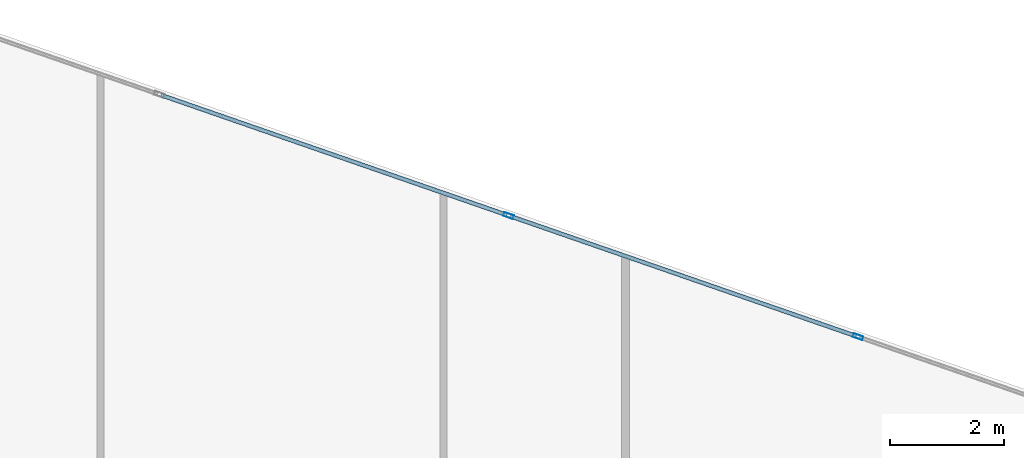
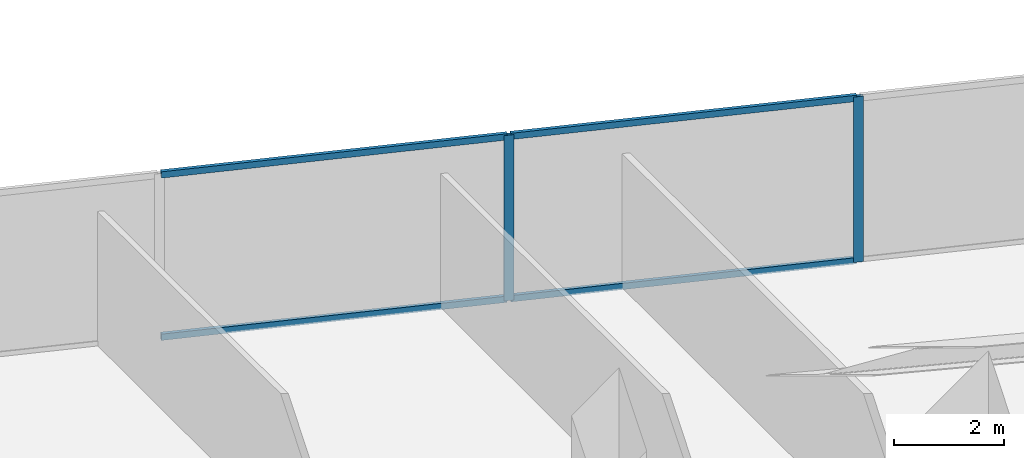
# One storey, part 21 of 27: 6 members, 1 element without a shape of its own.
"""IFC4 building model written with IfcOpenShell, lengths in metres."""

from ifc_helpers import new_model, si_unit, direction, frame, origin, origin_2d, place, context, subcontext, project, spatial, hollow_rectangle, extrude, source, transform, mapped, material, material_profile, profile_set, type_object, type_shapes, element, aggregate, save


model = new_model("IFC4")

# Units and contexts
model_context = context("Model", 3, precision=1e-05, world=origin(), true_north=direction((0.0, 1.0)))
body_context = subcontext(model_context, "Body", "Model", "MODEL_VIEW")
ifc_project = project(units=[si_unit("LENGTHUNIT", "METRE"), si_unit("AREAUNIT", "SQUARE_METRE"), si_unit("VOLUMEUNIT", "CUBIC_METRE"), si_unit("PLANEANGLEUNIT", "RADIAN"), si_unit("MASSUNIT", "GRAM", prefix="KILO")], contexts=[model_context])

# Site, building, storey
site_placement = place(None, origin())
site = spatial("IfcSite", under=ifc_project, at=site_placement, CompositionType="ELEMENT")
building_placement = place(site_placement, origin())
building = spatial("IfcBuilding", under=site, at=building_placement, Name="Krantzveldt Concourse Tower", CompositionType="ELEMENT")
storey_placement = place(building_placement, frame((0.0, 0.0, 125.60009765625)))
storey = spatial("IfcBuildingStorey", under=building, at=storey_placement, Name="L30", CompositionType="ELEMENT", Elevation=125.60009765625)

# Curtain wall, members
ifc_material = material(Name="Anodised aluminium 6063-T6", Category="aluminium")
curtain_wall_type = type_object("IfcCurtainWallType", Name="CW2", PredefinedType="USERDEFINED", material=ifc_material)
curtain_wall_placement = place(storey_placement, origin())
curtain_wall = element("IfcCurtainWall", 1, at=curtain_wall_placement, inside=storey, type_object=curtain_wall_type, Name="CW-L30-F10", ObjectType="UNITISED CURTAIN WALL", PredefinedType="USERDEFINED")
ifc_material_profile_1 = material_profile(ifc_material, hollow_rectangle(XDim=0.070068359375, YDim=0.179931640625, WallThickness=0.0048828125, at=origin_2d()), Name="Anodised aluminium 6063-T6", Category="aluminium")
ifc_profile_set_1 = profile_set([ifc_material_profile_1], Name="Anodised aluminium 6063-T6 - ALU-MULL 180x70x5")
member_type_1 = type_object("IfcMemberType", Name="CW-MUL-180", PredefinedType="MULLION", material=ifc_profile_set_1)
shared_shape_1 = source(origin(), body_context, "Body", "SweptSolid", [
    extrude(hollow_rectangle(XDim=0.070068359375, YDim=0.179931640625, WallThickness=0.0048828125, at=origin_2d()), origin(), (0.0, 0.0, 1.0), 3.669921875),
])
type_shapes(member_type_1, [shared_shape_1])
member_1_placement = place(storey_placement, frame((49.746826171875, 46.604736328125, 0.0), z_axis=(0.0, 0.0, 1.0), x_axis=(-0.32763019404, -0.944806041446, 0.0)))
member_1 = element("IfcMember", 2, at=member_1_placement, type_object=member_type_1, Name="CW-Z12 mullion 3", PredefinedType="MULLION", context=body_context, shape_type="MappedRepresentation", body=[
    mapped(shared_shape_1, transform((0.0, 0.0, 0.0), x_axis=(1.0, 0.0, 0.0), y_axis=(0.0, 1.0, 0.0), z_axis=(0.0, 0.0, 1.0), scale=1.0)),
])
member_2_placement = place(storey_placement, frame((43.636962890625, 48.723388671875, 0.0), z_axis=(0.0, 0.0, 1.0), x_axis=(-0.32763019404, -0.944806041446, 0.0)))
member_2 = element("IfcMember", 3, at=member_2_placement, type_object=member_type_1, Name="CW-Z12 mullion 4", PredefinedType="MULLION", context=body_context, shape_type="MappedRepresentation", body=[
    mapped(shared_shape_1, transform((0.0, 0.0, 0.0), x_axis=(1.0, 0.0, 0.0), y_axis=(0.0, 1.0, 0.0), z_axis=(0.0, 0.0, 1.0), scale=1.0)),
])
ifc_material_profile_2 = material_profile(ifc_material, hollow_rectangle(XDim=0.070068359375, YDim=0.139892578125, WallThickness=0.0048828125, at=origin_2d()), Name="Anodised aluminium 6063-T6", Category="aluminium")
ifc_profile_set_2 = profile_set([ifc_material_profile_2], Name="Anodised aluminium 6063-T6 - ALU-TRAN 140x70x5")
member_type_2 = type_object("IfcMemberType", Name="CW-TRN-150", PredefinedType="USERDEFINED", material=ifc_profile_set_2)
shared_shape_2 = source(origin(), body_context, "Body", "SweptSolid", [
    extrude(hollow_rectangle(XDim=0.070068359375, YDim=0.139892578125, WallThickness=0.0048828125, at=origin_2d()), origin(), (0.0, 0.0, 1.0), 6.396728515625),
])
member_3_placement = place(storey_placement, frame((43.60400390625, 48.73486328125, 0.034912109375), z_axis=(-0.944809422525, 0.327620443666, 0.0), x_axis=(-0.327620443666, -0.944809422525, 0.0)))
member_3 = element("IfcMember", 4, at=member_3_placement, type_object=member_type_2, Name="CW-Z12 transom 4.1", ObjectType="TRANSOM", PredefinedType="USERDEFINED", context=body_context, shape_type="MappedRepresentation", body=[
    mapped(shared_shape_2, transform((0.0, 0.0, 0.0), x_axis=(1.0, 0.0, 0.0), y_axis=(0.0, 1.0, 0.0), z_axis=(0.0, 0.0, 1.0), scale=1.0)),
])
member_4_placement = place(storey_placement, frame((43.60400390625, 48.73486328125, 3.635009765625), z_axis=(-0.944809422525, 0.327620443666, 0.0), x_axis=(-0.327620443666, -0.944809422525, 0.0)))
member_4 = element("IfcMember", 5, at=member_4_placement, type_object=member_type_2, Name="CW-Z12 transom 4.2", ObjectType="TRANSOM", PredefinedType="USERDEFINED", context=body_context, shape_type="MappedRepresentation", body=[
    mapped(shared_shape_2, transform((0.0, 0.0, 0.0), x_axis=(1.0, 0.0, 0.0), y_axis=(0.0, 1.0, 0.0), z_axis=(0.0, 0.0, 1.0), scale=1.0)),
])
shared_shape_3 = source(origin(), body_context, "Body", "SweptSolid", [
    extrude(hollow_rectangle(XDim=0.070068359375, YDim=0.139892578125, WallThickness=0.0048828125, at=origin_2d()), origin(), (0.0, 0.0, 1.0), 6.396484375),
])
type_shapes(member_type_2, [shared_shape_2, shared_shape_3])
member_5_placement = place(storey_placement, frame((49.713623046875, 46.6162109375, 0.034912109375), z_axis=(-0.944805325706, 0.327632258054, 0.0), x_axis=(-0.327632258054, -0.944805325706, 0.0)))
member_5 = element("IfcMember", 6, at=member_5_placement, type_object=member_type_2, Name="CW-Z12 transom 3.1", ObjectType="TRANSOM", PredefinedType="USERDEFINED", context=body_context, shape_type="MappedRepresentation", body=[
    mapped(shared_shape_3, transform((0.0, 0.0, 0.0), x_axis=(1.0, 0.0, 0.0), y_axis=(0.0, 1.0, 0.0), z_axis=(0.0, 0.0, 1.0), scale=1.0)),
])
member_6_placement = place(storey_placement, frame((49.713623046875, 46.6162109375, 3.635009765625), z_axis=(-0.944805325706, 0.327632258054, 0.0), x_axis=(-0.327632258054, -0.944805325706, 0.0)))
member_6 = element("IfcMember", 7, at=member_6_placement, type_object=member_type_2, Name="CW-Z12 transom 3.2", ObjectType="TRANSOM", PredefinedType="USERDEFINED", context=body_context, shape_type="MappedRepresentation", body=[
    mapped(shared_shape_3, transform((0.0, 0.0, 0.0), x_axis=(1.0, 0.0, 0.0), y_axis=(0.0, 1.0, 0.0), z_axis=(0.0, 0.0, 1.0), scale=1.0)),
])
aggregate(curtain_wall, [member_1, member_2, member_5, member_6, member_3, member_4])

save(model, "model.ifc")
